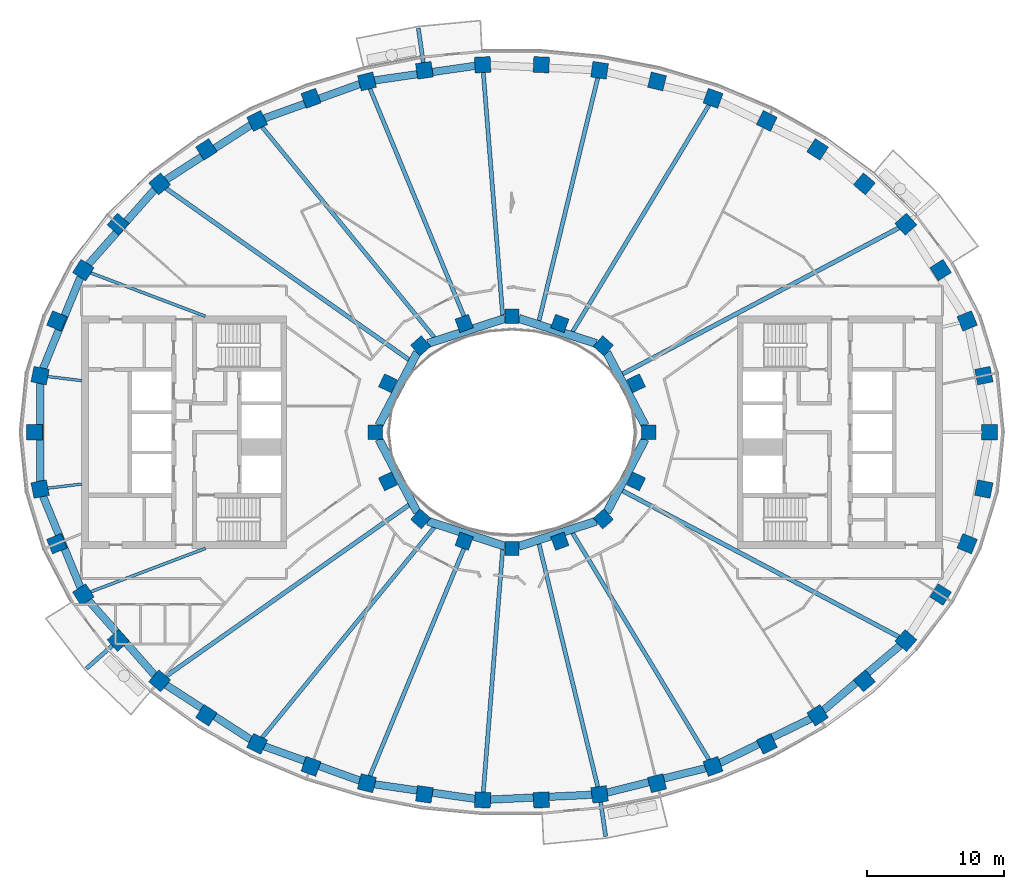
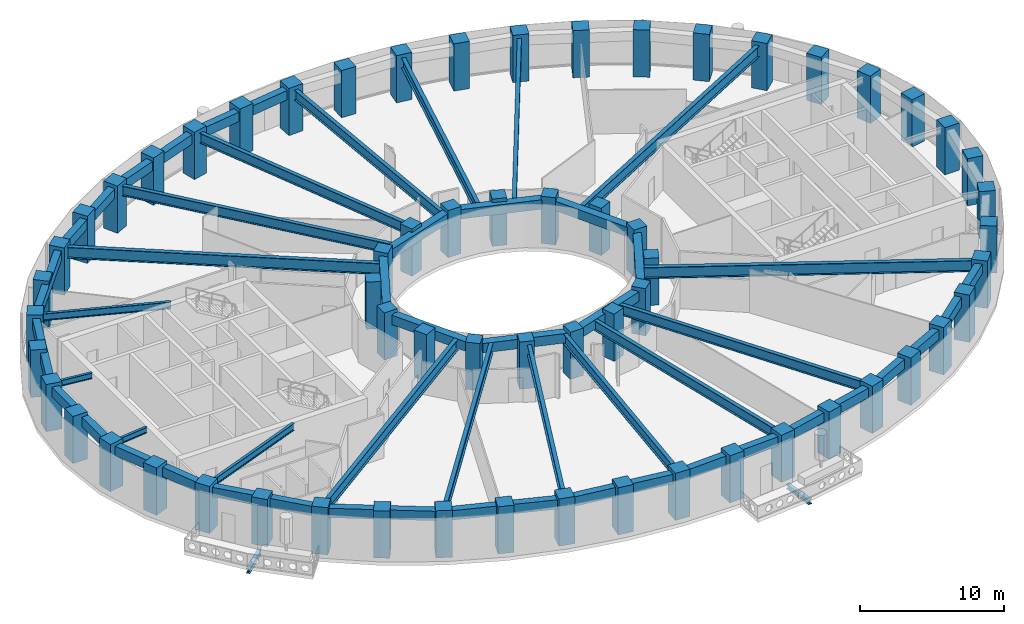
# One storey, part 1 of 16: 62 columns, 44 beams.
"""IFC4 building model written with IfcOpenShell, lengths in metres."""

from ifc_helpers import new_model, si_unit, direction, frame, origin, origin_2d, place, context, subcontext, project, spatial, rectangle, i_section, extrude, material, material_profile, profile_set, type_object, element, save


model = new_model("IFC4")

# Units and contexts
model_context = context("Model", 3, precision=1e-05, world=origin(), true_north=direction((0.0, 1.0)))
body_context = subcontext(model_context, "Body", "Model", "MODEL_VIEW")
ifc_project = project(units=[si_unit("LENGTHUNIT", "METRE"), si_unit("AREAUNIT", "SQUARE_METRE"), si_unit("VOLUMEUNIT", "CUBIC_METRE"), si_unit("PLANEANGLEUNIT", "RADIAN"), si_unit("MASSUNIT", "GRAM", prefix="KILO")], contexts=[model_context])

# Site, building, storey
site_placement = place(None, origin())
site = spatial("IfcSite", under=ifc_project, at=site_placement, CompositionType="ELEMENT")
building_placement = place(site_placement, origin())
building = spatial("IfcBuilding", under=site, at=building_placement, Name="Noorbagh Ring Tower", CompositionType="ELEMENT")
storey_placement = place(building_placement, frame((0.0, 0.0, 186.0)))
storey = spatial("IfcBuildingStorey", under=building, at=storey_placement, Name="L43", CompositionType="ELEMENT", Elevation=186.0)

# Columns
ifc_material_1 = material(Name="Concrete C60/75", Category="concrete")
ifc_material_profile_1 = material_profile(ifc_material_1, rectangle(XDim=1.14990234375, YDim=1.14990234375, at=origin_2d()), Name="RC1150x1150")
ifc_profile_set_1 = profile_set([ifc_material_profile_1], Name="Concrete C60/75")
column_type_1 = type_object("IfcColumnType", Name="STR-COL-RC1150x1150-C60-75", PredefinedType="COLUMN", material=ifc_profile_set_1)
for number, where, z_axis, x_axis, name in (
    (1, (34.944580078125, 0.0, 0.0), (0.0, 0.0, 1.0), (0.0, 1.0, 0.0), "L43/col/R1-01"),
    (2, (34.52685546875, 4.150634765625, 0.0), (0.0, 0.0, 1.0), (-0.19723040178, 0.9803571638, 0.0), "L43/col/R1-02"),
    (3, (33.30517578125, 8.1494140625, 0.0), (0.0, 0.0, 1.0), (-0.378989499959, 0.925400971969, 0.0), "L43/col/R1-03"),
    (4, (31.364990234375, 11.87109375, 0.0), (0.0, 0.0, 1.0), (-0.535190403059, 0.844731455833, 0.0), "L43/col/R1-04"),
    (5, (28.81884765625, 15.23046875, 0.0), (0.0, 0.0, 1.0), (-0.662635642662, 0.748941923699, 0.0), "L43/col/R1-05"),
    (6, (25.78271484375, 18.180419921875, 0.0), (0.0, 0.0, 1.0), (-0.763035199656, 0.646356932419, 0.0), "L43/col/R1-06"),
    (7, (22.362060546875, 20.699951171875, 0.0), (0.0, 0.0, 1.0), (-0.840247639643, 0.542202825586, 0.0), "L43/col/R1-07"),
    (8, (18.646240234375, 22.785400390625, 0.0), (0.0, 0.0, 1.0), (-0.898399080868, 0.439180021741, 0.0), "L43/col/R1-08"),
    (9, (14.70947265625, 24.44091796875, 0.0), (0.0, 0.0, 1.0), (-0.941024726094, 0.338337797003, 0.0), "L43/col/R1-09"),
    (10, (10.61328125, 25.673583984375, 0.0), (0.0, 0.0, 1.0), (-0.970829360981, 0.239771457553, 0.0), "L43/col/R1-10"),
    (11, (6.4091796875, 26.49072265625, 0.0), (0.0, 0.0, 1.0), (-0.989713114048, 0.143066249975, 0.0), "L43/col/R1-11"),
    (12, (2.14306640625, 26.89794921875, 0.0), (0.0, 0.0, 1.0), (-0.998868731212, 0.047552684538, 0.0), "L43/col/R1-12"),
    (13, (-2.14306640625, 26.89794921875, 0.0), (0.0, 0.0, 1.0), (-0.998868731212, -0.047552684538, 0.0), "L43/col/R1-13"),
    (14, (-6.4091796875, 26.49072265625, 0.0), (0.0, 0.0, 1.0), (-0.989713114048, -0.143066249975, 0.0), "L43/col/R1-14"),
    (15, (-10.61328125, 25.673583984375, 0.0), (0.0, 0.0, 1.0), (-0.970829360981, -0.239771457553, 0.0), "L43/col/R1-15"),
    (16, (-14.70947265625, 24.44091796875, 0.0), (0.0, 0.0, 1.0), (-0.941024726094, -0.338337797003, 0.0), "L43/col/R1-16"),
    (17, (-18.646240234375, 22.785400390625, 0.0), (0.0, 0.0, 1.0), (-0.898399080868, -0.439180021741, 0.0), "L43/col/R1-17"),
    (18, (-22.362060546875, 20.699951171875, 0.0), (0.0, 0.0, 1.0), (-0.840247639643, -0.542202825586, 0.0), "L43/col/R1-18"),
    (19, (-25.78271484375, 18.180419921875, 0.0), (0.0, 0.0, 1.0), (-0.763035199656, -0.646356932419, 0.0), "L43/col/R1-19"),
    (20, (-28.81884765625, 15.23046875, 0.0), (0.0, 0.0, 1.0), (-0.662635642662, -0.748941923699, 0.0), "L43/col/R1-20"),
    (21, (-31.364990234375, 11.87109375, 0.0), (0.0, 0.0, 1.0), (-0.535190403059, -0.844731455833, 0.0), "L43/col/R1-21"),
    (22, (-33.30517578125, 8.1494140625, 0.0), (0.0, 0.0, 1.0), (-0.378989499959, -0.925400971969, 0.0), "L43/col/R1-22"),
    (23, (-34.52685546875, 4.150634765625, 0.0), (0.0, 0.0, 1.0), (-0.19723040178, -0.9803571638, 0.0), "L43/col/R1-23"),
    (24, (-34.944580078125, 0.0, 0.0), (0.0, 0.0, 1.0), (0.0, -1.0, 0.0), "L43/col/R1-24"),
    (25, (-34.52685546875, -4.150634765625, 0.0), (0.0, 0.0, 1.0), (0.19723040178, -0.9803571638, 0.0), "L43/col/R1-25"),
    (26, (-33.30517578125, -8.1494140625, 0.0), (0.0, 0.0, 1.0), (0.378989499959, -0.925400971969, 0.0), "L43/col/R1-26"),
    (27, (-31.364990234375, -11.87109375, 0.0), (0.0, 0.0, 1.0), (0.535190403059, -0.844731455833, 0.0), "L43/col/R1-27"),
    (28, (-28.81884765625, -15.23046875, 0.0), (0.0, 0.0, 1.0), (0.662635642662, -0.748941923699, 0.0), "L43/col/R1-28"),
    (29, (-25.78271484375, -18.180419921875, 0.0), (0.0, 0.0, 1.0), (0.763035199656, -0.646356932419, 0.0), "L43/col/R1-29"),
    (30, (-22.362060546875, -20.699951171875, 0.0), (0.0, 0.0, 1.0), (0.840247639643, -0.542202825586, 0.0), "L43/col/R1-30"),
    (31, (-18.646240234375, -22.785400390625, 0.0), (0.0, 0.0, 1.0), (0.898399080868, -0.439180021741, 0.0), "L43/col/R1-31"),
    (32, (-14.70947265625, -24.44091796875, 0.0), (0.0, 0.0, 1.0), (0.941024726094, -0.338337797003, 0.0), "L43/col/R1-32"),
    (33, (-10.61328125, -25.673583984375, 0.0), (0.0, 0.0, 1.0), (0.970829360981, -0.239771457553, 0.0), "L43/col/R1-33"),
    (34, (-6.4091796875, -26.49072265625, 0.0), (0.0, 0.0, 1.0), (0.989713114048, -0.143066249975, 0.0), "L43/col/R1-34"),
    (35, (-2.14306640625, -26.89794921875, 0.0), (0.0, 0.0, 1.0), (0.998868731212, -0.047552684538, 0.0), "L43/col/R1-35"),
    (36, (2.14306640625, -26.89794921875, 0.0), (0.0, 0.0, 1.0), (0.998868731212, 0.047552684538, 0.0), "L43/col/R1-36"),
    (37, (6.4091796875, -26.49072265625, 0.0), (0.0, 0.0, 1.0), (0.989713114048, 0.143066249975, 0.0), "L43/col/R1-37"),
    (38, (10.61328125, -25.673583984375, 0.0), (0.0, 0.0, 1.0), (0.970829360981, 0.239771457553, 0.0), "L43/col/R1-38"),
    (39, (14.70947265625, -24.44091796875, 0.0), (0.0, 0.0, 1.0), (0.941024726094, 0.338337797003, 0.0), "L43/col/R1-39"),
    (40, (18.646240234375, -22.785400390625, 0.0), (0.0, 0.0, 1.0), (0.898399080868, 0.439180021741, 0.0), "L43/col/R1-40"),
    (41, (22.362060546875, -20.699951171875, 0.0), (0.0, 0.0, 1.0), (0.840247639643, 0.542202825586, 0.0), "L43/col/R1-41"),
    (42, (25.78271484375, -18.180419921875, 0.0), (0.0, 0.0, 1.0), (0.763035199656, 0.646356932419, 0.0), "L43/col/R1-42"),
    (43, (28.81884765625, -15.23046875, 0.0), (0.0, 0.0, 1.0), (0.662635642662, 0.748941923699, 0.0), "L43/col/R1-43"),
    (44, (31.364990234375, -11.87109375, 0.0), (0.0, 0.0, 1.0), (0.535190403059, 0.844731455833, 0.0), "L43/col/R1-44"),
    (45, (33.30517578125, -8.1494140625, 0.0), (0.0, 0.0, 1.0), (0.378989499959, 0.925400971969, 0.0), "L43/col/R1-45"),
    (46, (34.52685546875, -4.150634765625, 0.0), (0.0, 0.0, 1.0), (0.19723040178, 0.9803571638, 0.0), "L43/col/R1-46"),
):
    element("IfcColumn", number, at=place(storey_placement, frame(where, z_axis=z_axis, x_axis=x_axis)), inside=storey, type_object=column_type_1, Name=name, PredefinedType="COLUMN", context=body_context, shape_type="SweptSolid", body=[
        extrude(rectangle(XDim=1.14990234375, YDim=1.14990234375, at=origin_2d()), origin(), (0.0, 0.0, 1.0), 4.0),
    ])
ifc_material_2 = material(Name="Concrete C60/75", Category="concrete")
ifc_material_profile_2 = material_profile(ifc_material_2, rectangle(XDim=1.050048828125, YDim=1.050048828125, at=origin_2d()), Name="RC1050x1050")
ifc_profile_set_2 = profile_set([ifc_material_profile_2], Name="Concrete C60/75")
column_type_2 = type_object("IfcColumnType", Name="STR-ICOL-RC1050x1050-C60-75", PredefinedType="COLUMN", material=ifc_profile_set_2)
for number, where, z_axis, x_axis, name in (
    (47, (10.00830078125, 0.0, 0.0), (0.0, 0.0, 1.0), (0.0, 1.0, 0.0), "L43/col/IR2-W01"),
    (48, (9.07568359375, 3.58837890625, 0.0), (0.0, 0.0, 1.0), (-0.428666979171, 0.903462573087, 0.0), "L43/col/IR2-W03"),
    (49, (6.68212890625, 6.333740234375, 0.0), (0.0, 0.0, 1.0), (-0.75102249095, 0.660276622399, 0.0), "L43/col/IR2-W05"),
    (50, (3.5009765625, 7.967041015625, 0.0), (0.0, 0.0, 1.0), (-0.939019578916, 0.343863679984, 0.0), "L43/col/IR2-W07"),
    (51, (0.0, 8.5029296875, 0.0), (0.0, 0.0, 1.0), (-1.0, 0.0, 0.0), "L43/col/IR2-W09"),
    (52, (-3.5009765625, 7.967041015625, 0.0), (0.0, 0.0, 1.0), (-0.939019578916, -0.343863679984, 0.0), "L43/col/IR2-W11"),
    (53, (-6.68212890625, 6.333740234375, 0.0), (0.0, 0.0, 1.0), (-0.75102249095, -0.660276622399, 0.0), "L43/col/IR2-W13"),
    (54, (-9.07568359375, 3.58837890625, 0.0), (0.0, 0.0, 1.0), (-0.428666979171, -0.903462573087, 0.0), "L43/col/IR2-W15"),
    (55, (-10.00830078125, 0.0, 0.0), (0.0, 0.0, 1.0), (0.0, -1.0, 0.0), "L43/col/IR2-W17"),
    (56, (-9.07568359375, -3.58837890625, 0.0), (0.0, 0.0, 1.0), (0.428666979171, -0.903462573087, 0.0), "L43/col/IR2-W19"),
    (57, (-6.68212890625, -6.333740234375, 0.0), (0.0, 0.0, 1.0), (0.75102249095, -0.660276622399, 0.0), "L43/col/IR2-W21"),
    (58, (-3.5009765625, -7.967041015625, 0.0), (0.0, 0.0, 1.0), (0.939019578916, -0.343863679984, 0.0), "L43/col/IR2-W23"),
    (59, (0.0, -8.5029296875, 0.0), (0.0, 0.0, 1.0), (1.0, 0.0, 0.0), "L43/col/IR2-W25"),
    (60, (3.5009765625, -7.967041015625, 0.0), (0.0, 0.0, 1.0), (0.939019578916, 0.343863679984, 0.0), "L43/col/IR2-W27"),
    (61, (6.68212890625, -6.333740234375, 0.0), (0.0, 0.0, 1.0), (0.75102249095, 0.660276622399, 0.0), "L43/col/IR2-W29"),
    (62, (9.07568359375, -3.58837890625, 0.0), (0.0, 0.0, 1.0), (0.428666979171, 0.903462573087, 0.0), "L43/col/IR2-W31"),
):
    element("IfcColumn", number, at=place(storey_placement, frame(where, z_axis=z_axis, x_axis=x_axis)), inside=storey, type_object=column_type_2, Name=name, PredefinedType="COLUMN", context=body_context, shape_type="SweptSolid", body=[
        extrude(rectangle(XDim=1.050048828125, YDim=1.050048828125, at=origin_2d()), origin(), (0.0, 0.0, 1.0), 4.0),
    ])

# Beams
ifc_material_3 = material(Name="Steel S355", Category="steel")
ifc_material_profile_3 = material_profile(ifc_material_3, i_section(OverallWidth=0.300048828125, OverallDepth=0.39990234375, WebThickness=0.013427734375, FlangeThickness=0.02392578125, FilletRadius=0.027099609375, at=origin_2d()), Name="HEB400")
ifc_profile_set_3 = profile_set([ifc_material_profile_3], Name="Steel S355")
beam_type_1 = type_object("IfcBeamType", Name="STR-BALCONY-BRACKET-HEB400", PredefinedType="BEAM", material=ifc_profile_set_3)
beam_1_placement = place(storey_placement, frame((-6.48876953125, 27.0400390625, -0.5), z_axis=(-0.143003505054, 0.989722182, 0.0), x_axis=(-0.989722182, -0.143003505054, 0.0)))
element("IfcBeam", 63, at=beam_1_placement, inside=storey, type_object=beam_type_1, Name="Balcony bracket beam BN04", PredefinedType="BEAM", context=body_context, shape_type="SweptSolid", body=[
    extrude(i_section(OverallWidth=0.300048828125, OverallDepth=0.39990234375, WebThickness=0.013427734375, FlangeThickness=0.02392578125, FilletRadius=0.027099609375, at=origin_2d()), origin(), (0.0, 0.0, 1.0), 2.548828125),
])
beam_2_placement = place(storey_placement, frame((-29.234619140625, -15.59814453125, -0.5), z_axis=(-0.749031222735, -0.662534698992, 0.0), x_axis=(0.662534698992, -0.749031222735, 0.0)))
element("IfcBeam", 64, at=beam_2_placement, inside=storey, type_object=beam_type_1, Name="Balcony bracket beam BS01", PredefinedType="BEAM", context=body_context, shape_type="SweptSolid", body=[
    extrude(i_section(OverallWidth=0.300048828125, OverallDepth=0.39990234375, WebThickness=0.013427734375, FlangeThickness=0.02392578125, FilletRadius=0.027099609375, at=origin_2d()), origin(), (0.0, 0.0, 1.0), 2.554443359375),
])
beam_3_placement = place(storey_placement, frame((6.48876953125, -27.0400390625, -0.5), z_axis=(0.143003505054, -0.989722182, 0.0), x_axis=(0.989722182, 0.143003505054, 0.0)))
element("IfcBeam", 65, at=beam_3_placement, inside=storey, type_object=beam_type_1, Name="Balcony bracket beam BS04", PredefinedType="BEAM", context=body_context, shape_type="SweptSolid", body=[
    extrude(i_section(OverallWidth=0.300048828125, OverallDepth=0.39990234375, WebThickness=0.013427734375, FlangeThickness=0.02392578125, FilletRadius=0.027099609375, at=origin_2d()), origin(), (0.0, 0.0, 1.0), 2.548828125),
])
ifc_material_4 = material(Name="Steel S355", Category="steel")
ifc_material_profile_4 = material_profile(ifc_material_4, i_section(OverallWidth=0.199951171875, OverallDepth=0.5, WebThickness=0.01025390625, FlangeThickness=0.01611328125, FilletRadius=0.02099609375, at=origin_2d()), Name="IPE500")
ifc_profile_set_4 = profile_set([ifc_material_profile_4], Name="Steel S355")
beam_type_2 = type_object("IfcBeamType", Name="STR-RAD-IPE500", PredefinedType="BEAM", material=ifc_profile_set_4)
for number, where, z_axis, x_axis, name in (
    (66, (-33.973876953125, 4.084228515625, 3.449951171875), (0.992850135932, -0.119367531518, 0.0), (0.119367531518, 0.992850135932, 0.0), "L43/bm/RD23"),
    (67, (-33.973876953125, -4.084228515625, 3.449951171875), (0.992850135932, 0.119367531518, 0.0), (-0.119367531518, 0.992850135932, 0.0), "L43/bm/RD25"),
):
    element("IfcBeam", number, at=place(storey_placement, frame(where, z_axis=z_axis, x_axis=x_axis)), inside=storey, type_object=beam_type_2, Name=name, PredefinedType="BEAM", context=body_context, shape_type="SweptSolid", body=[
        extrude(i_section(OverallWidth=0.199951171875, OverallDepth=0.5, WebThickness=0.01025390625, FlangeThickness=0.01611328125, FilletRadius=0.02099609375, at=origin_2d()), origin(), (0.0, 0.0, 1.0), 2.51171875),
    ])
ifc_material_5 = material(Name="Steel S355", Category="steel")
ifc_material_profile_5 = material_profile(ifc_material_5, i_section(OverallWidth=0.219970703125, OverallDepth=0.60009765625, WebThickness=0.011962890625, FlangeThickness=0.01904296875, FilletRadius=0.02392578125, at=origin_2d()), Name="IPE600")
ifc_profile_set_5 = profile_set([ifc_material_profile_5], Name="Steel S355")
beam_type_3 = type_object("IfcBeamType", Name="STR-RAD-IPE600", PredefinedType="BEAM", material=ifc_profile_set_5)
for number, where, z_axis, x_axis, name in (
    (68, (-30.834716796875, 11.670166015625, 3.39990234375), (0.935258517004, -0.353965402789, 0.0), (0.353965402789, 0.935258517004, 0.0), "L43/bm/RD21"),
    (69, (-30.834716796875, -11.670166015625, 3.39990234375), (0.935258517004, 0.353965402789, 0.0), (-0.353965402789, 0.935258517004, 0.0), "L43/bm/RD27"),
):
    element("IfcBeam", number, at=place(storey_placement, frame(where, z_axis=z_axis, x_axis=x_axis)), inside=storey, type_object=beam_type_3, Name=name, PredefinedType="BEAM", context=body_context, shape_type="SweptSolid", body=[
        extrude(i_section(OverallWidth=0.219970703125, OverallDepth=0.60009765625, WebThickness=0.011962890625, FlangeThickness=0.01904296875, FilletRadius=0.02392578125, at=origin_2d()), origin(), (0.0, 0.0, 1.0), 8.97607421875),
    ])
ifc_material_6 = material(Name="Steel S355", Category="steel")
ifc_material_profile_6 = material_profile(ifc_material_6, i_section(OverallWidth=0.300048828125, OverallDepth=0.85009765625, WebThickness=0.013916015625, FlangeThickness=0.028076171875, at=origin_2d()), Name="PG850x300x14x28")
ifc_profile_set_6 = profile_set([ifc_material_profile_6], Name="Steel S355")
beam_type_4 = type_object("IfcBeamType", Name="STR-RAD-PG850x300x14x28", PredefinedType="BEAM", material=ifc_profile_set_6)
beam_4_placement = place(storey_placement, frame((14.41748046875, 23.95556640625, 3.27490234375), z_axis=(-0.515657480155, -0.856794819756, 0.0), x_axis=(0.856794819756, -0.515657480155, 0.0)))
element("IfcBeam", 70, at=beam_4_placement, inside=storey, type_object=beam_type_4, Name="L43/bm/RD09", PredefinedType="BEAM", context=body_context, shape_type="SweptSolid", body=[
    extrude(i_section(OverallWidth=0.300048828125, OverallDepth=0.85009765625, WebThickness=0.013916015625, FlangeThickness=0.028076171875, at=origin_2d()), origin(), (0.0, 0.0, 1.0), 19.36962890625),
])
beam_5_placement = place(storey_placement, frame((6.278076171875, 25.948974609375, 3.27490234375), z_axis=(-0.235157209599, -0.971957348228, 0.0), x_axis=(0.971957348228, -0.235157209599, 0.0)))
element("IfcBeam", 71, at=beam_5_placement, inside=storey, type_object=beam_type_4, Name="L43/bm/RD11", PredefinedType="BEAM", context=body_context, shape_type="SweptSolid", body=[
    extrude(i_section(OverallWidth=0.300048828125, OverallDepth=0.85009765625, WebThickness=0.013916015625, FlangeThickness=0.028076171875, at=origin_2d()), origin(), (0.0, 0.0, 1.0), 18.3056640625),
])
beam_6_placement = place(storey_placement, frame((-2.09912109375, 26.344482421875, 3.27490234375), z_axis=(0.079426755243, -0.996840704702, 0.0), x_axis=(0.996840704702, 0.079426755243, 0.0)))
element("IfcBeam", 72, at=beam_6_placement, inside=storey, type_object=beam_type_4, Name="L43/bm/RD13", PredefinedType="BEAM", context=body_context, shape_type="SweptSolid", body=[
    extrude(i_section(OverallWidth=0.300048828125, OverallDepth=0.85009765625, WebThickness=0.013916015625, FlangeThickness=0.028076171875, at=origin_2d()), origin(), (0.0, 0.0, 1.0), 17.824951171875),
])
beam_7_placement = place(storey_placement, frame((-10.398681640625, 25.15478515625, 3.27490234375), z_axis=(0.382029145197, -0.924150275778, 0.0), x_axis=(0.924150275778, 0.382029145197, 0.0)))
element("IfcBeam", 73, at=beam_7_placement, inside=storey, type_object=beam_type_4, Name="L43/bm/RD15", PredefinedType="BEAM", context=body_context, shape_type="SweptSolid", body=[
    extrude(i_section(OverallWidth=0.300048828125, OverallDepth=0.85009765625, WebThickness=0.013916015625, FlangeThickness=0.028076171875, at=origin_2d()), origin(), (0.0, 0.0, 1.0), 18.826171875),
])
for number, where, z_axis, x_axis, name in (
    (74, (-18.284912109375, 22.34375, 3.27490234375), (0.633309312675, -0.773898775344, 0.0), (0.773898775344, 0.633309312675, 0.0), "L43/bm/RD17"),
    (75, (-18.284912109375, -22.34375, 3.27490234375), (0.633309312675, 0.773898775344, 0.0), (-0.773898775344, 0.633309312675, 0.0), "L43/bm/RD31"),
):
    element("IfcBeam", number, at=place(storey_placement, frame(where, z_axis=z_axis, x_axis=x_axis)), inside=storey, type_object=beam_type_4, Name=name, PredefinedType="BEAM", context=body_context, shape_type="SweptSolid", body=[
        extrude(i_section(OverallWidth=0.300048828125, OverallDepth=0.85009765625, WebThickness=0.013916015625, FlangeThickness=0.028076171875, at=origin_2d()), origin(), (0.0, 0.0, 1.0), 19.888671875),
    ])
beam_8_placement = place(storey_placement, frame((-10.398681640625, -25.15478515625, 3.27490234375), z_axis=(0.382029145197, 0.924150275778, 0.0), x_axis=(-0.924150275778, 0.382029145197, 0.0)))
element("IfcBeam", 76, at=beam_8_placement, inside=storey, type_object=beam_type_4, Name="L43/bm/RD33", PredefinedType="BEAM", context=body_context, shape_type="SweptSolid", body=[
    extrude(i_section(OverallWidth=0.300048828125, OverallDepth=0.85009765625, WebThickness=0.013916015625, FlangeThickness=0.028076171875, at=origin_2d()), origin(), (0.0, 0.0, 1.0), 18.826171875),
])
beam_9_placement = place(storey_placement, frame((-2.09912109375, -26.344482421875, 3.27490234375), z_axis=(0.079426755243, 0.996840704702, 0.0), x_axis=(-0.996840704702, 0.079426755243, 0.0)))
element("IfcBeam", 77, at=beam_9_placement, inside=storey, type_object=beam_type_4, Name="L43/bm/RD35", PredefinedType="BEAM", context=body_context, shape_type="SweptSolid", body=[
    extrude(i_section(OverallWidth=0.300048828125, OverallDepth=0.85009765625, WebThickness=0.013916015625, FlangeThickness=0.028076171875, at=origin_2d()), origin(), (0.0, 0.0, 1.0), 17.824951171875),
])
beam_10_placement = place(storey_placement, frame((6.278076171875, -25.948974609375, 3.27490234375), z_axis=(-0.235157209599, 0.971957348228, 0.0), x_axis=(-0.971957348228, -0.235157209599, 0.0)))
element("IfcBeam", 78, at=beam_10_placement, inside=storey, type_object=beam_type_4, Name="L43/bm/RD37", PredefinedType="BEAM", context=body_context, shape_type="SweptSolid", body=[
    extrude(i_section(OverallWidth=0.300048828125, OverallDepth=0.85009765625, WebThickness=0.013916015625, FlangeThickness=0.028076171875, at=origin_2d()), origin(), (0.0, 0.0, 1.0), 18.3056640625),
])
beam_11_placement = place(storey_placement, frame((14.41748046875, -23.95556640625, 3.27490234375), z_axis=(-0.515657480155, 0.856794819756, 0.0), x_axis=(-0.856794819756, -0.515657480155, 0.0)))
element("IfcBeam", 79, at=beam_11_placement, inside=storey, type_object=beam_type_4, Name="L43/bm/RD39", PredefinedType="BEAM", context=body_context, shape_type="SweptSolid", body=[
    extrude(i_section(OverallWidth=0.300048828125, OverallDepth=0.85009765625, WebThickness=0.013916015625, FlangeThickness=0.028076171875, at=origin_2d()), origin(), (0.0, 0.0, 1.0), 19.36962890625),
])
ifc_material_7 = material(Name="Steel S355", Category="steel")
ifc_material_profile_7 = material_profile(ifc_material_7, i_section(OverallWidth=0.320068359375, OverallDepth=0.949951171875, WebThickness=0.01611328125, FlangeThickness=0.030029296875, at=origin_2d()), Name="PG950x320x16x30")
ifc_profile_set_7 = profile_set([ifc_material_profile_7], Name="Steel S355")
beam_type_5 = type_object("IfcBeamType", Name="STR-RAD-PG950x320x16x30", PredefinedType="BEAM", material=ifc_profile_set_7)
beam_12_placement = place(storey_placement, frame((28.3134765625, 14.96337890625, 3.22509765625), z_axis=(-0.88412220417, -0.467255741638, 0.0), x_axis=(0.467255741638, -0.88412220417, 0.0)))
element("IfcBeam", 80, at=beam_12_placement, inside=storey, type_object=beam_type_5, Name="L43/bm/RD05", PredefinedType="BEAM", context=body_context, shape_type="SweptSolid", body=[
    extrude(i_section(OverallWidth=0.320068359375, OverallDepth=0.949951171875, WebThickness=0.01611328125, FlangeThickness=0.030029296875, at=origin_2d()), origin(), (0.0, 0.0, 1.0), 22.88330078125),
])
for number, where, z_axis, x_axis, name in (
    (81, (-25.313720703125, 17.849609375, 3.22509765625), (0.81725576223, -0.576275124487, 0.0), (0.576275124487, 0.81725576223, 0.0), "L43/bm/RD19"),
    (82, (-25.313720703125, -17.849609375, 3.22509765625), (0.81725576223, 0.576275124487, 0.0), (-0.576275124487, 0.81725576223, 0.0), "L43/bm/RD29"),
):
    element("IfcBeam", number, at=place(storey_placement, frame(where, z_axis=z_axis, x_axis=x_axis)), inside=storey, type_object=beam_type_5, Name=name, PredefinedType="BEAM", context=body_context, shape_type="SweptSolid", body=[
        extrude(i_section(OverallWidth=0.320068359375, OverallDepth=0.949951171875, WebThickness=0.01611328125, FlangeThickness=0.030029296875, at=origin_2d()), origin(), (0.0, 0.0, 1.0), 21.754638671875),
    ])
beam_13_placement = place(storey_placement, frame((28.3134765625, -14.96337890625, 3.22509765625), z_axis=(-0.88412220417, 0.467255741638, 0.0), x_axis=(-0.467255741638, -0.88412220417, 0.0)))
element("IfcBeam", 83, at=beam_13_placement, inside=storey, type_object=beam_type_5, Name="L43/bm/RD43", PredefinedType="BEAM", context=body_context, shape_type="SweptSolid", body=[
    extrude(i_section(OverallWidth=0.320068359375, OverallDepth=0.949951171875, WebThickness=0.01611328125, FlangeThickness=0.030029296875, at=origin_2d()), origin(), (0.0, 0.0, 1.0), 22.88330078125),
])
ifc_material_8 = material(Name="Concrete C40/50", Category="concrete")
ifc_material_profile_8 = material_profile(ifc_material_8, rectangle(XDim=0.60009765625, YDim=0.800048828125, at=origin_2d()), Name="RC600x800")
ifc_profile_set_8 = profile_set([ifc_material_profile_8], Name="Concrete C40/50")
beam_type_6 = type_object("IfcBeamType", Name="STR-RB-RC600x800-C40-50", PredefinedType="BEAM", material=ifc_profile_set_8)
beam_14_placement = place(storey_placement, frame((9.741943359375, 0.50732421875, 3.300048828125), z_axis=(-0.464929768283, 0.885347564838, 0.0), x_axis=(-0.885347564838, -0.464929768283, 0.0)))
element("IfcBeam", 84, at=beam_14_placement, inside=storey, type_object=beam_type_6, Name="L43/bm/RG01", PredefinedType="BEAM", context=body_context, shape_type="SweptSolid", body=[
    extrude(rectangle(XDim=0.60009765625, YDim=0.800048828125, at=origin_2d()), origin(), (0.0, 0.0, 1.0), 6.038818359375),
])
for number, where, z_axis, x_axis, name in (
    (85, (6.157470703125, 6.504150390625, 3.300048828125), (-0.951147838406, 0.308735792379, 0.0), (-0.308735792379, -0.951147838406, 0.0), "L43/bm/RG03"),
    (86, (-0.505859375, 8.338623046875, 3.300048828125), (-0.951147838406, -0.308735792379, 0.0), (0.308735792379, -0.951147838406, 0.0), "L43/bm/RG05"),
):
    element("IfcBeam", number, at=place(storey_placement, frame(where, z_axis=z_axis, x_axis=x_axis)), inside=storey, type_object=beam_type_6, Name=name, PredefinedType="BEAM", context=body_context, shape_type="SweptSolid", body=[
        extrude(rectangle(XDim=0.60009765625, YDim=0.800048828125, at=origin_2d()), origin(), (0.0, 0.0, 1.0), 5.94189453125),
    ])
for number, where, z_axis, x_axis, name in (
    (87, (-6.934326171875, 5.853759765625, 3.300048828125), (-0.464929768283, -0.885347564838, 0.0), (0.885347564838, -0.464929768283, 0.0), "L43/bm/RG07"),
    (88, (-9.741943359375, -0.50732421875, 3.300048828125), (0.464929768283, -0.885347564838, 0.0), (0.885347564838, 0.464929768283, 0.0), "L43/bm/RG09"),
):
    element("IfcBeam", number, at=place(storey_placement, frame(where, z_axis=z_axis, x_axis=x_axis)), inside=storey, type_object=beam_type_6, Name=name, PredefinedType="BEAM", context=body_context, shape_type="SweptSolid", body=[
        extrude(rectangle(XDim=0.60009765625, YDim=0.800048828125, at=origin_2d()), origin(), (0.0, 0.0, 1.0), 6.038818359375),
    ])
for number, where, z_axis, x_axis, name in (
    (89, (-6.157470703125, -6.504150390625, 3.300048828125), (0.951147838406, -0.308735792379, 0.0), (0.308735792379, 0.951147838406, 0.0), "L43/bm/RG11"),
    (90, (0.505859375, -8.338623046875, 3.300048828125), (0.951147838406, 0.308735792379, 0.0), (-0.308735792379, 0.951147838406, 0.0), "L43/bm/RG13"),
):
    element("IfcBeam", number, at=place(storey_placement, frame(where, z_axis=z_axis, x_axis=x_axis)), inside=storey, type_object=beam_type_6, Name=name, PredefinedType="BEAM", context=body_context, shape_type="SweptSolid", body=[
        extrude(rectangle(XDim=0.60009765625, YDim=0.800048828125, at=origin_2d()), origin(), (0.0, 0.0, 1.0), 5.94189453125),
    ])
beam_15_placement = place(storey_placement, frame((6.934326171875, -5.853759765625, 3.300048828125), z_axis=(0.464929768283, 0.885347564838, 0.0), x_axis=(-0.885347564838, 0.464929768283, 0.0)))
element("IfcBeam", 91, at=beam_15_placement, inside=storey, type_object=beam_type_6, Name="L43/bm/RG15", PredefinedType="BEAM", context=body_context, shape_type="SweptSolid", body=[
    extrude(rectangle(XDim=0.60009765625, YDim=0.800048828125, at=origin_2d()), origin(), (0.0, 0.0, 1.0), 6.038818359375),
])
ifc_material_9 = material(Name="Concrete C40/50", Category="concrete")
ifc_material_profile_9 = material_profile(ifc_material_9, rectangle(XDim=0.550048828125, YDim=0.800048828125, at=origin_2d()), Name="RC550x800")
ifc_profile_set_9 = profile_set([ifc_material_profile_9], Name="Concrete C40/50")
beam_type_7 = type_object("IfcBeamType", Name="STR-SB-RC550x800-C40-50", PredefinedType="BEAM", material=ifc_profile_set_9)
beam_16_placement = place(storey_placement, frame((-2.695068359375, 26.818115234375, 3.300048828125), z_axis=(-0.989714582635, -0.143056090115, 0.0), x_axis=(0.143056090115, -0.989714582635, 0.0)))
element("IfcBeam", 92, at=beam_16_placement, inside=storey, type_object=beam_type_7, Name="L43/bm/SP13", PredefinedType="BEAM", context=body_context, shape_type="SweptSolid", body=[
    extrude(rectangle(XDim=0.550048828125, YDim=0.800048828125, at=origin_2d()), origin(), (0.0, 0.0, 1.0), 7.442626953125),
])
beam_17_placement = place(storey_placement, frame((-11.138427734375, 25.48486328125, 3.300048828125), z_axis=(-0.941023654447, -0.338340777576, 0.0), x_axis=(0.338340777576, -0.941023654447, 0.0)))
element("IfcBeam", 93, at=beam_17_placement, inside=storey, type_object=beam_type_7, Name="L43/bm/SP15", PredefinedType="BEAM", context=body_context, shape_type="SweptSolid", body=[
    extrude(rectangle(XDim=0.550048828125, YDim=0.800048828125, at=origin_2d()), origin(), (0.0, 0.0, 1.0), 7.419921875),
])
beam_18_placement = place(storey_placement, frame((-19.115966796875, 22.482177734375, 3.300048828125), z_axis=(-0.840254319368, -0.542192473928, 0.0), x_axis=(0.542192473928, -0.840254319368, 0.0)))
element("IfcBeam", 94, at=beam_18_placement, inside=storey, type_object=beam_type_7, Name="L43/bm/SP17", PredefinedType="BEAM", context=body_context, shape_type="SweptSolid", body=[
    extrude(rectangle(XDim=0.550048828125, YDim=0.800048828125, at=origin_2d()), origin(), (0.0, 0.0, 1.0), 7.374267578125),
])
beam_19_placement = place(storey_placement, frame((-26.154541015625, 17.76025390625, 3.300048828125), z_axis=(-0.662635208679, -0.74894230767, 0.0), x_axis=(0.74894230767, -0.662635208679, 0.0)))
element("IfcBeam", 95, at=beam_19_placement, inside=storey, type_object=beam_type_7, Name="L43/bm/SP19", PredefinedType="BEAM", context=body_context, shape_type="SweptSolid", body=[
    extrude(rectangle(XDim=0.550048828125, YDim=0.800048828125, at=origin_2d()), origin(), (0.0, 0.0, 1.0), 7.301025390625),
])
beam_20_placement = place(storey_placement, frame((-31.578857421875, 11.34912109375, 3.300048828125), z_axis=(-0.378982069308, -0.925404015089, 0.0), x_axis=(0.925404015089, -0.378982069308, 0.0)))
element("IfcBeam", 96, at=beam_20_placement, inside=storey, type_object=beam_type_7, Name="L43/bm/SP21", PredefinedType="BEAM", context=body_context, shape_type="SweptSolid", body=[
    extrude(rectangle(XDim=0.550048828125, YDim=0.800048828125, at=origin_2d()), origin(), (0.0, 0.0, 1.0), 7.213134765625),
])
beam_21_placement = place(storey_placement, frame((-34.52685546875, 3.584228515625, 3.300048828125), z_axis=(0.0, -1.0, 0.0), x_axis=(1.0, 0.0, 0.0)))
element("IfcBeam", 97, at=beam_21_placement, inside=storey, type_object=beam_type_7, Name="L43/bm/SP23", PredefinedType="BEAM", context=body_context, shape_type="SweptSolid", body=[
    extrude(rectangle(XDim=0.550048828125, YDim=0.800048828125, at=origin_2d()), origin(), (0.0, 0.0, 1.0), 7.16845703125),
])
beam_22_placement = place(storey_placement, frame((-34.3125, -4.674072265625, 3.300048828125), z_axis=(0.378982069308, -0.925404015089, 0.0), x_axis=(0.925404015089, 0.378982069308, 0.0)))
element("IfcBeam", 98, at=beam_22_placement, inside=storey, type_object=beam_type_7, Name="L43/bm/SP25", PredefinedType="BEAM", context=body_context, shape_type="SweptSolid", body=[
    extrude(rectangle(XDim=0.550048828125, YDim=0.800048828125, at=origin_2d()), origin(), (0.0, 0.0, 1.0), 7.213134765625),
])
beam_23_placement = place(storey_placement, frame((-30.992431640625, -12.292236328125, 3.300048828125), z_axis=(0.662635208679, -0.74894230767, 0.0), x_axis=(0.74894230767, 0.662635208679, 0.0)))
element("IfcBeam", 99, at=beam_23_placement, inside=storey, type_object=beam_type_7, Name="L43/bm/SP27", PredefinedType="BEAM", context=body_context, shape_type="SweptSolid", body=[
    extrude(rectangle(XDim=0.550048828125, YDim=0.800048828125, at=origin_2d()), origin(), (0.0, 0.0, 1.0), 7.301025390625),
])
beam_24_placement = place(storey_placement, frame((-25.312255859375, -18.48388671875, 3.300048828125), z_axis=(0.840254319368, -0.542192473928, 0.0), x_axis=(0.542192473928, 0.840254319368, 0.0)))
element("IfcBeam", 100, at=beam_24_placement, inside=storey, type_object=beam_type_7, Name="L43/bm/SP29", PredefinedType="BEAM", context=body_context, shape_type="SweptSolid", body=[
    extrude(rectangle(XDim=0.550048828125, YDim=0.800048828125, at=origin_2d()), origin(), (0.0, 0.0, 1.0), 7.374267578125),
])
beam_25_placement = place(storey_placement, frame((-18.120849609375, -22.974365234375, 3.300048828125), z_axis=(0.941023654447, -0.338340777576, 0.0), x_axis=(0.338340777576, 0.941023654447, 0.0)))
element("IfcBeam", 101, at=beam_25_placement, inside=storey, type_object=beam_type_7, Name="L43/bm/SP31", PredefinedType="BEAM", context=body_context, shape_type="SweptSolid", body=[
    extrude(rectangle(XDim=0.550048828125, YDim=0.800048828125, at=origin_2d()), origin(), (0.0, 0.0, 1.0), 7.419921875),
])
beam_26_placement = place(storey_placement, frame((-10.06103515625, -25.75341796875, 3.300048828125), z_axis=(0.989714582635, -0.143056090115, 0.0), x_axis=(0.143056090115, 0.989714582635, 0.0)))
element("IfcBeam", 102, at=beam_26_placement, inside=storey, type_object=beam_type_7, Name="L43/bm/SP33", PredefinedType="BEAM", context=body_context, shape_type="SweptSolid", body=[
    extrude(rectangle(XDim=0.550048828125, YDim=0.800048828125, at=origin_2d()), origin(), (0.0, 0.0, 1.0), 7.442626953125),
])
beam_27_placement = place(storey_placement, frame((-1.586181640625, -26.87158203125, 3.300048828125), z_axis=(0.998867915197, 0.047569822271, 0.0), x_axis=(-0.047569822271, 0.998867915197, 0.0)))
element("IfcBeam", 103, at=beam_27_placement, inside=storey, type_object=beam_type_7, Name="L43/bm/SP35", PredefinedType="BEAM", context=body_context, shape_type="SweptSolid", body=[
    extrude(rectangle(XDim=0.550048828125, YDim=0.800048828125, at=origin_2d()), origin(), (0.0, 0.0, 1.0), 7.447021484375),
])
beam_28_placement = place(storey_placement, frame((6.95068359375, -26.357177734375, 3.300048828125), z_axis=(0.970828249823, 0.239775956563, 0.0), x_axis=(-0.239775956563, 0.970828249823, 0.0)))
element("IfcBeam", 104, at=beam_28_placement, inside=storey, type_object=beam_type_7, Name="L43/bm/SP37", PredefinedType="BEAM", context=body_context, shape_type="SweptSolid", body=[
    extrude(rectangle(XDim=0.550048828125, YDim=0.800048828125, at=origin_2d()), origin(), (0.0, 0.0, 1.0), 7.433837890625),
])
beam_29_placement = place(storey_placement, frame((15.211181640625, -24.195556640625, 3.300048828125), z_axis=(0.898409236546, 0.439159246389, 0.0), x_axis=(-0.439159246389, 0.898409236546, 0.0)))
element("IfcBeam", 105, at=beam_29_placement, inside=storey, type_object=beam_type_7, Name="L43/bm/SP39", PredefinedType="BEAM", context=body_context, shape_type="SweptSolid", body=[
    extrude(rectangle(XDim=0.550048828125, YDim=0.800048828125, at=origin_2d()), origin(), (0.0, 0.0, 1.0), 7.400390625),
])
beam_30_placement = place(storey_placement, frame((22.789306640625, -20.338134765625, 3.300048828125), z_axis=(0.76302791951, 0.646365526656, 0.0), x_axis=(-0.646365526656, 0.76302791951, 0.0)))
element("IfcBeam", 106, at=beam_30_placement, inside=storey, type_object=beam_type_7, Name="L43/bm/SP41", PredefinedType="BEAM", context=body_context, shape_type="SweptSolid", body=[
    extrude(rectangle(XDim=0.550048828125, YDim=0.800048828125, at=origin_2d()), origin(), (0.0, 0.0, 1.0), 7.34130859375),
])

save(model, "model.ifc")
